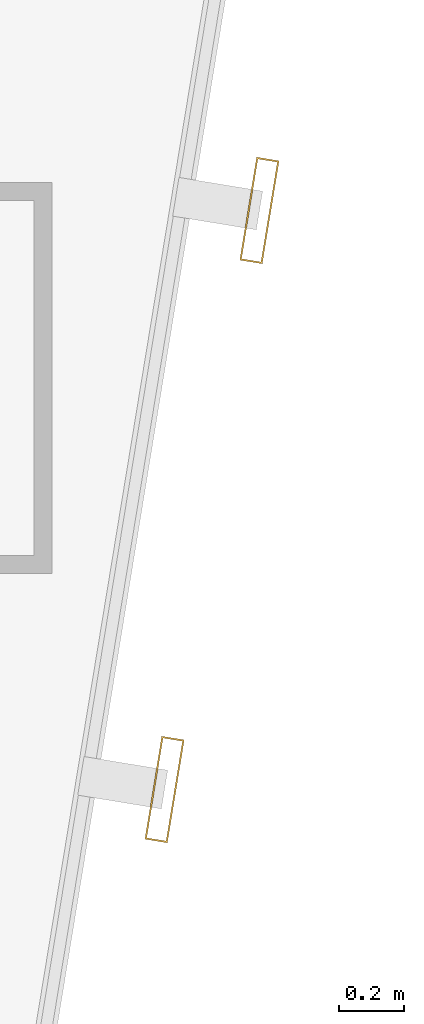
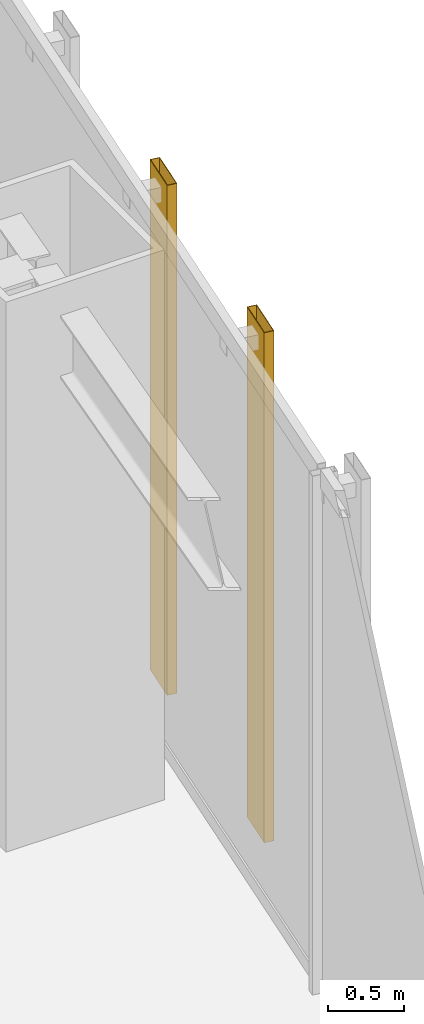
# One storey, part 45 of 47: 2 shading devices.
"""IFC4 building model written with IfcOpenShell, lengths in metres."""

from ifc_helpers import new_model, si_unit, direction, frame, origin, origin_2d, place, context, subcontext, project, spatial, hollow_rectangle, extrude, material, material_profile, profile_set, type_object, element, save


model = new_model("IFC4")

# Units and contexts
model_context = context("Model", 3, precision=1e-05, world=origin(), true_north=direction((0.0, 1.0)))
body_context = subcontext(model_context, "Body", "Model", "MODEL_VIEW")
ifc_project = project(units=[si_unit("LENGTHUNIT", "METRE"), si_unit("AREAUNIT", "SQUARE_METRE"), si_unit("VOLUMEUNIT", "CUBIC_METRE"), si_unit("PLANEANGLEUNIT", "RADIAN"), si_unit("MASSUNIT", "GRAM", prefix="KILO")], contexts=[model_context])

# Site, building, storey
site_placement = place(None, origin())
site = spatial("IfcSite", under=ifc_project, at=site_placement, CompositionType="ELEMENT")
building_placement = place(site_placement, origin())
building = spatial("IfcBuilding", under=site, at=building_placement, Name="Saevonmaru Cultural Tower", CompositionType="ELEMENT")
storey_placement = place(building_placement, frame((0.0, 0.0, 47.199951171875)))
storey = spatial("IfcBuildingStorey", under=building, at=storey_placement, Name="L09", CompositionType="ELEMENT", Elevation=47.199951171875)

# Shading devices
ifc_material = material(Name="Satin Bronze Anodised Aluminium", Category="aluminium")
ifc_material_profile = material_profile(ifc_material, hollow_rectangle(XDim=0.070068359375, YDim=0.320068359375, WallThickness=0.0048828125, at=origin_2d()), Name="FIN-320x70")
ifc_profile_set = profile_set([ifc_material_profile], Name="Satin Bronze Anodised Aluminium")
shading_device_type = type_object("IfcShadingDeviceType", Name="SHD-FIN-320", PredefinedType="JALOUSIE", material=ifc_profile_set)
for number, where, z_axis, x_axis, name in (
    (1, (52.6279296875, 30.737548828125, 0.050048828125), (0.0, 0.0, 1.0), (0.986827496189, -0.161776057456, 0.0), "L09 Art Deco Sawtooth Bronze Fin E8-15"),
    (2, (52.9189453125, 32.513916015625, 0.050048828125), (0.0, 0.0, 1.0), (0.986827496189, -0.161776057456, 0.0), "L09 Art Deco Sawtooth Bronze Fin E8-16"),
):
    element("IfcShadingDevice", number, at=place(storey_placement, frame(where, z_axis=z_axis, x_axis=x_axis)), inside=storey, type_object=shading_device_type, Name=name, PredefinedType="JALOUSIE", context=body_context, shape_type="SweptSolid", body=[
        extrude(hollow_rectangle(XDim=0.070068359375, YDim=0.320068359375, WallThickness=0.0048828125, at=origin_2d()), origin(), (0.0, 0.0, 1.0), 4.080078125),
    ])

save(model, "model.ifc")
